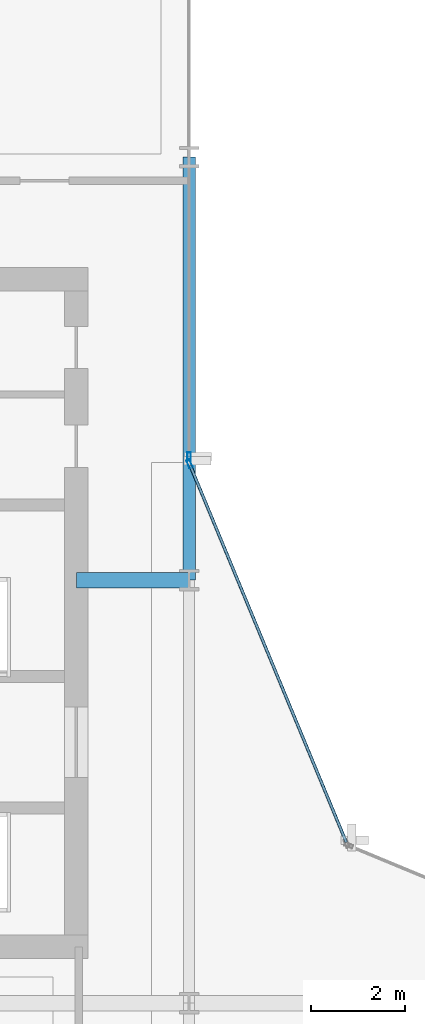
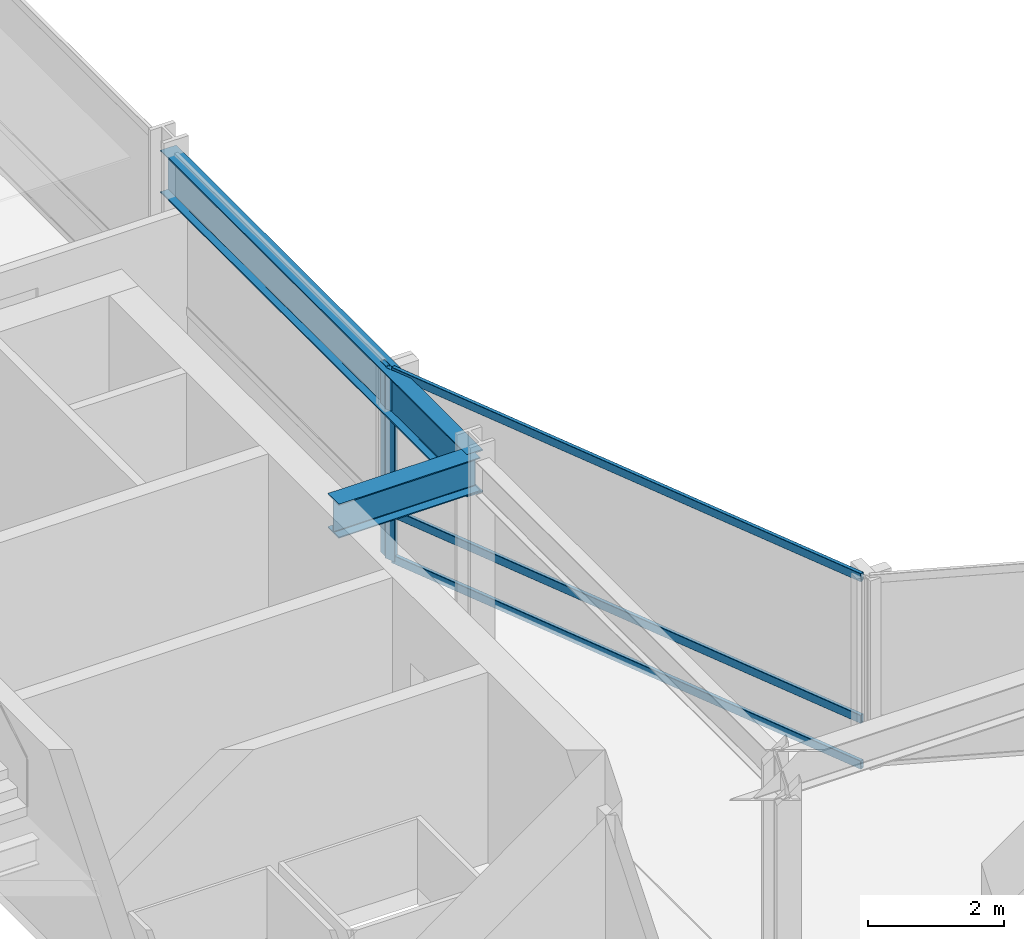
# One storey, part 17 of 29: 5 members, 2 beams, 2 elements without a shape of their own.
"""IFC4 building model written with IfcOpenShell, lengths in metres."""

from ifc_helpers import new_model, si_unit, direction, frame, origin, origin_2d, place, context, subcontext, project, spatial, hollow_rectangle, i_section, extrude, material, layer, layer_set, material_profile, profile_set, type_object, element, aggregate, save


model = new_model("IFC4")

# Units and contexts
model_context = context("Model", 3, precision=1e-05, world=origin(), true_north=direction((0.0, 1.0)))
body_context = subcontext(model_context, "Body", "Model", "MODEL_VIEW")
ifc_project = project(units=[si_unit("LENGTHUNIT", "METRE"), si_unit("AREAUNIT", "SQUARE_METRE"), si_unit("VOLUMEUNIT", "CUBIC_METRE"), si_unit("PLANEANGLEUNIT", "RADIAN"), si_unit("MASSUNIT", "GRAM", prefix="KILO")], contexts=[model_context])

# Site, building, storey
site_placement = place(None, origin())
site = spatial("IfcSite", under=ifc_project, at=site_placement, CompositionType="ELEMENT")
building_placement = place(site_placement, origin())
building = spatial("IfcBuilding", under=site, at=building_placement, Name="Solvaryn Broadcast Tower", CompositionType="ELEMENT")
storey_placement = place(building_placement, frame((0.0, 0.0, 128.5)))
storey = spatial("IfcBuildingStorey", under=building, at=storey_placement, Name="L31", CompositionType="ELEMENT", Elevation=128.5)

# Beams
ifc_material_1 = material(Name="Steel ASTM A992 Grade 50", Category="steel")
ifc_material_profile_1 = material_profile(ifc_material_1, i_section(OverallWidth=0.323974609375, OverallDepth=0.611083984375, WebThickness=0.0126953125, FlangeThickness=0.01904296875, FilletRadius=0.014892578125, at=origin_2d()))
ifc_profile_set_1 = profile_set([ifc_material_profile_1], Name="Steel ASTM A992 Grade 50")
beam_type_1 = type_object("IfcBeamType", Name="BM-B1-W24X104", PredefinedType="BEAM", material=ifc_profile_set_1)
beam_1_placement = place(storey_placement, frame((24.60009765625, 36.0, 3.114501953125), z_axis=(1.0, 0.0, 0.0), x_axis=(0.0, 1.0, 0.0)))
element("IfcBeam", 1, at=beam_1_placement, inside=storey, type_object=beam_type_1, Name="L31 Core Tie Beam CTW2", PredefinedType="BEAM", context=body_context, shape_type="SweptSolid", body=[
    extrude(i_section(OverallWidth=0.323974609375, OverallDepth=0.611083984375, WebThickness=0.0126953125, FlangeThickness=0.01904296875, FilletRadius=0.014892578125, at=origin_2d()), origin(), (0.0, 0.0, 1.0), 2.39990234375),
])
ifc_material_2 = material(Name="Steel ASTM A992 Grade 50", Category="steel")
ifc_material_profile_2 = material_profile(ifc_material_2, i_section(OverallWidth=0.26708984375, OverallDepth=0.76611328125, WebThickness=0.014892578125, FlangeThickness=0.023681640625, FilletRadius=0.01806640625, at=origin_2d()))
ifc_profile_set_2 = profile_set([ifc_material_profile_2], Name="Steel ASTM A992 Grade 50")
beam_type_2 = type_object("IfcBeamType", Name="BM-SP2-W30X124", PredefinedType="USERDEFINED", material=ifc_profile_set_2)
beam_2_placement = place(storey_placement, frame((27.0, 36.0, 3.037109375), z_axis=(0.0, 1.0, 0.0), x_axis=(-1.0, 0.0, 0.0)))
element("IfcBeam", 2, at=beam_2_placement, inside=storey, type_object=beam_type_2, Name="L31 Spandrel Beam Y (36-45 @ X=27)", ObjectType="SPANDREL", PredefinedType="USERDEFINED", context=body_context, shape_type="SweptSolid", body=[
    extrude(i_section(OverallWidth=0.26708984375, OverallDepth=0.76611328125, WebThickness=0.014892578125, FlangeThickness=0.023681640625, FilletRadius=0.01806640625, at=origin_2d()), origin(), (0.0, 0.0, 1.0), 9.0),
])

# Curtain wall, member
ifc_material_3 = material(Name="Aluminium and Terracotta Unitised Curtain Wall", Category="masonry")
ifc_layer = layer(ifc_material_3, 0.199951171875)
ifc_layer_set = layer_set([ifc_layer], Name="CW-SYS2-LOWMID")
curtain_wall_type = type_object("IfcCurtainWallType", Name="CW-SYS2-LOWMID", PredefinedType="NOTDEFINED", material=ifc_layer_set)
curtain_wall_1_placement = place(storey_placement, origin())
curtain_wall_1 = element("IfcCurtainWall", 3, at=curtain_wall_1_placement, inside=storey, type_object=curtain_wall_type, Name="L31 Curtain Wall IV", PredefinedType="NOTDEFINED")
ifc_material_4 = material(Name="Anodised Aluminium 6063-T6", Category="aluminium")
ifc_material_profile_3 = material_profile(ifc_material_4, hollow_rectangle(XDim=0.074951171875, YDim=0.179931640625, WallThickness=0.00390625, InnerFilletRadius=0.00390625, OuterFilletRadius=0.008056640625, at=origin_2d()))
ifc_profile_set_3 = profile_set([ifc_material_profile_3], Name="Anodised Aluminium 6063-T6")
member_type_1 = type_object("IfcMemberType", Name="CW-MUL-180", PredefinedType="MULLION", material=ifc_profile_set_3)
member_1_placement = place(storey_placement, frame((27.0, 38.6298828125, 0.0), z_axis=(0.0, 0.0, 1.0), x_axis=(1.0, 0.0, 0.0)))
member_1 = element("IfcMember", 4, at=member_1_placement, type_object=member_type_1, Name="CWS2 mullion 2", PredefinedType="MULLION", context=body_context, shape_type="SweptSolid", body=[
    extrude(hollow_rectangle(XDim=0.074951171875, YDim=0.179931640625, WallThickness=0.00390625, InnerFilletRadius=0.00390625, OuterFilletRadius=0.008056640625, at=origin_2d()), origin(), (0.0, 0.0, 1.0), 3.419921875),
])
aggregate(curtain_wall_1, [member_1])

# Curtain wall, members
curtain_wall_2_placement = place(storey_placement, origin())
curtain_wall_2 = element("IfcCurtainWall", 5, at=curtain_wall_2_placement, inside=storey, type_object=curtain_wall_type, Name="L31 Curtain Wall CN2", PredefinedType="NOTDEFINED")
member_2_placement = place(storey_placement, frame((27.011474609375, 38.47216796875, 0.0), z_axis=(0.0, 0.0, 1.0), x_axis=(-0.923894983957, -0.382646127145, 0.0)))
member_2 = element("IfcMember", 6, at=member_2_placement, type_object=member_type_1, Name="CWS2 mullion 2", PredefinedType="MULLION", context=body_context, shape_type="SweptSolid", body=[
    extrude(hollow_rectangle(XDim=0.074951171875, YDim=0.179931640625, WallThickness=0.00390625, InnerFilletRadius=0.00390625, OuterFilletRadius=0.008056640625, at=origin_2d()), origin(), (0.0, 0.0, 1.0), 3.419921875),
])
ifc_material_5 = material(Name="Anodised Aluminium 6063-T6", Category="aluminium")
ifc_material_profile_4 = material_profile(ifc_material_5, hollow_rectangle(XDim=0.06494140625, YDim=0.14990234375, WallThickness=0.00390625, InnerFilletRadius=0.00390625, OuterFilletRadius=0.008056640625, at=origin_2d()))
ifc_profile_set_4 = profile_set([ifc_material_profile_4], Name="Anodised Aluminium 6063-T6")
member_type_2 = type_object("IfcMemberType", Name="CW-TRN-150", PredefinedType="USERDEFINED", material=ifc_profile_set_4)
member_3_placement = place(storey_placement, frame((30.344970703125, 30.42333984375, 0.030029296875), z_axis=(-0.382635748975, 0.923899282177, 0.0), x_axis=(-0.923899282177, -0.382635748975, 0.0)))
member_3 = element("IfcMember", 7, at=member_3_placement, type_object=member_type_2, Name="CWS2 transom 1.1", ObjectType="TRANSOM", PredefinedType="USERDEFINED", context=body_context, shape_type="SweptSolid", body=[
    extrude(hollow_rectangle(XDim=0.06494140625, YDim=0.14990234375, WallThickness=0.00390625, InnerFilletRadius=0.00390625, OuterFilletRadius=0.008056640625, at=origin_2d()), origin(), (0.0, 0.0, 1.0), 8.681884765625),
])
member_4_placement = place(storey_placement, frame((30.344970703125, 30.42333984375, 0.85009765625), z_axis=(-0.382635748975, 0.923899282177, 0.0), x_axis=(-0.923899282177, -0.382635748975, 0.0)))
member_4 = element("IfcMember", 8, at=member_4_placement, type_object=member_type_2, Name="CWS2 transom 1.2", ObjectType="TRANSOM", PredefinedType="USERDEFINED", context=body_context, shape_type="SweptSolid", body=[
    extrude(hollow_rectangle(XDim=0.06494140625, YDim=0.14990234375, WallThickness=0.00390625, InnerFilletRadius=0.00390625, OuterFilletRadius=0.008056640625, at=origin_2d()), origin(), (0.0, 0.0, 1.0), 8.681884765625),
])
member_5_placement = place(storey_placement, frame((30.344970703125, 30.42333984375, 3.389892578125), z_axis=(-0.382635748975, 0.923899282177, 0.0), x_axis=(-0.923899282177, -0.382635748975, 0.0)))
member_5 = element("IfcMember", 9, at=member_5_placement, type_object=member_type_2, Name="CWS2 transom 1.3", ObjectType="TRANSOM", PredefinedType="USERDEFINED", context=body_context, shape_type="SweptSolid", body=[
    extrude(hollow_rectangle(XDim=0.06494140625, YDim=0.14990234375, WallThickness=0.00390625, InnerFilletRadius=0.00390625, OuterFilletRadius=0.008056640625, at=origin_2d()), origin(), (0.0, 0.0, 1.0), 8.681884765625),
])
aggregate(curtain_wall_2, [member_2, member_3, member_4, member_5])

save(model, "model.ifc")
